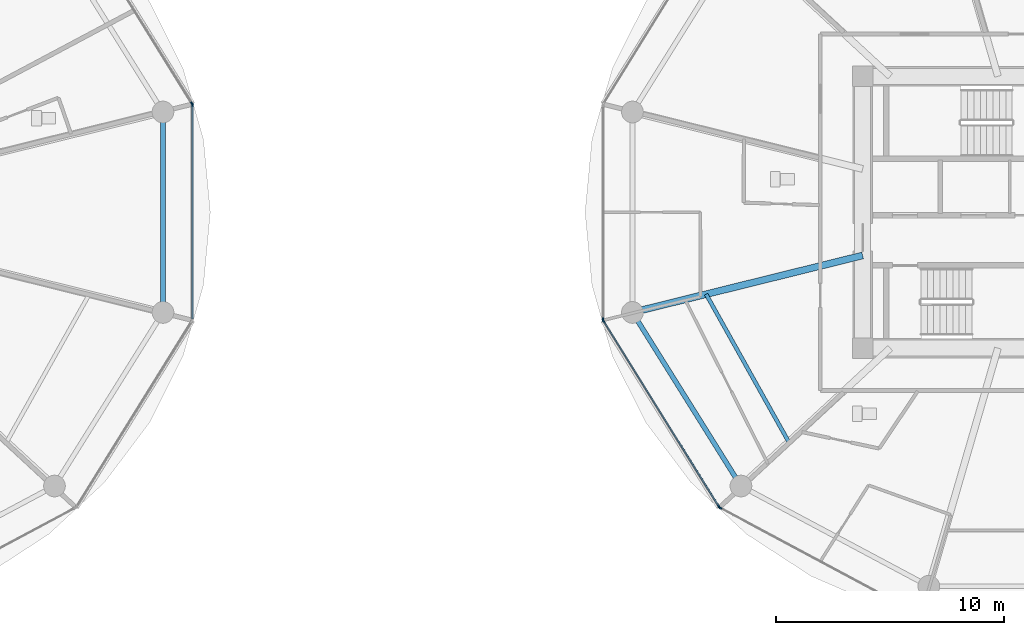
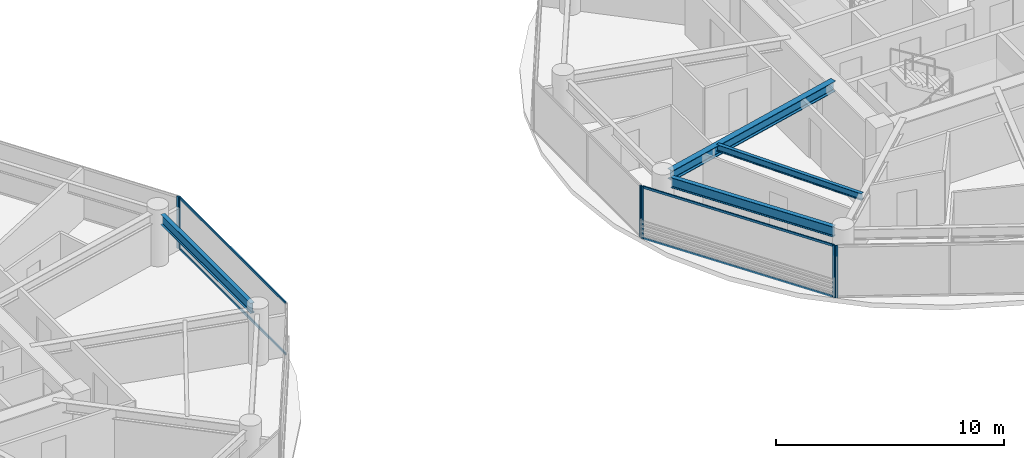
# One storey, part 6 of 27: 10 members, 4 beams, 5 elements without a shape of their own.
"""IFC4 building model written with IfcOpenShell, lengths in metres."""

from ifc_helpers import new_model, si_unit, direction, frame, origin, origin_2d, place, context, subcontext, project, spatial, rectangle, i_section, extrude, source, transform, mapped, material, layer, layer_set, material_profile, profile_set, type_object, type_shapes, element, aggregate, save


model = new_model("IFC4")

# Units and contexts
model_context = context("Model", 3, precision=1e-05, world=origin(), true_north=direction((0.0, 1.0)))
body_context = subcontext(model_context, "Body", "Model", "MODEL_VIEW")
ifc_project = project(units=[si_unit("LENGTHUNIT", "METRE"), si_unit("AREAUNIT", "SQUARE_METRE"), si_unit("VOLUMEUNIT", "CUBIC_METRE"), si_unit("PLANEANGLEUNIT", "RADIAN"), si_unit("MASSUNIT", "GRAM", prefix="KILO")], contexts=[model_context])

# Site, building, storey
site_placement = place(None, origin())
site = spatial("IfcSite", under=ifc_project, at=site_placement, CompositionType="ELEMENT")
building_placement = place(site_placement, origin())
building = spatial("IfcBuilding", under=site, at=building_placement, Name="Norrkilde Senior Care Towers", CompositionType="ELEMENT")
storey_placement = place(building_placement, frame((0.0, 0.0, 36.85009765625)))
storey = spatial("IfcBuildingStorey", under=building, at=storey_placement, Name="L10", CompositionType="ELEMENT", Elevation=36.85009765625)

# Beams
ifc_material_1 = material(Name="Steel S355", Category="steel")
ifc_material_profile_1 = material_profile(ifc_material_1, i_section(OverallWidth=0.2099609375, OverallDepth=0.550048828125, WebThickness=0.010986328125, FlangeThickness=0.01708984375, FilletRadius=0.02392578125, at=origin_2d()), Name="IPE 550")
ifc_profile_set_1 = profile_set([ifc_material_profile_1], Name="Steel S355")
beam_type_1 = type_object("IfcBeamType", Name="Perimeter Ring Spandrel Z1 IPE550", PredefinedType="SPANDREL", material=ifc_profile_set_1)
shared_shape_1 = source(origin(), body_context, "Body", "SweptSolid", [
    extrude(i_section(OverallWidth=0.2099609375, OverallDepth=0.550048828125, WebThickness=0.010986328125, FlangeThickness=0.01708984375, FilletRadius=0.02392578125, at=origin_2d()), origin(), (0.0, 0.0, 1.0), 8.090576171875),
])
beam_1_placement = place(storey_placement, frame((10.505859375, -4.755859375, 2.514892578125), z_axis=(0.530004364821, -0.84799491347, 0.0), x_axis=(0.84799491347, 0.530004364821, 0.0)))
element("IfcBeam", 1, at=beam_1_placement, inside=storey, type_object=beam_type_1, Name="L10 Drum E Perimeter Spandrel 07", PredefinedType="SPANDREL", context=body_context, shape_type="MappedRepresentation", body=[
    mapped(shared_shape_1, transform((0.0, 0.0, 0.0), x_axis=(1.0, 0.0, 0.0), y_axis=(0.0, 1.0, 0.0), z_axis=(0.0, 0.0, 1.0), scale=1.0)),
])
ifc_material_profile_2 = material_profile(ifc_material_1, i_section(OverallWidth=0.300048828125, OverallDepth=0.550048828125, WebThickness=0.014892578125, FlangeThickness=0.029052734375, FilletRadius=0.027099609375, at=origin_2d()), Name="HEB 550")
ifc_profile_set_2 = profile_set([ifc_material_profile_2], Name="Steel S355")
beam_type_2 = type_object("IfcBeamType", Name="Radial Floor Beam Z1 HEB550", PredefinedType="BEAM", material=ifc_profile_set_2)
shared_shape_2 = source(origin(), body_context, "Body", "SweptSolid", [
    extrude(i_section(OverallWidth=0.300048828125, OverallDepth=0.550048828125, WebThickness=0.014892578125, FlangeThickness=0.029052734375, FilletRadius=0.027099609375, at=origin_2d()), origin(), (0.0, 0.0, 1.0), 9.94384765625),
])
type_shapes(beam_type_2, [shared_shape_2])
beam_2_placement = place(storey_placement, frame((20.35009765625, -1.893310546875, 2.514892578125), z_axis=(-0.970707425182, -0.240264634718, 0.0), x_axis=(0.240264634718, -0.970707425182, 0.0)))
element("IfcBeam", 2, at=beam_2_placement, inside=storey, type_object=beam_type_2, Name="L10 Drum E Radial Floor Beam 07", PredefinedType="BEAM", context=body_context, shape_type="MappedRepresentation", body=[
    mapped(shared_shape_2, transform((0.0, 0.0, 0.0), x_axis=(1.0, 0.0, 0.0), y_axis=(0.0, 1.0, 0.0), z_axis=(0.0, 0.0, 1.0), scale=1.0)),
])
shared_shape_3 = source(origin(), body_context, "Body", "SweptSolid", [
    extrude(i_section(OverallWidth=0.2099609375, OverallDepth=0.550048828125, WebThickness=0.010986328125, FlangeThickness=0.01708984375, FilletRadius=0.02392578125, at=origin_2d()), origin(), (0.0, 0.0, 1.0), 7.90380859375),
])
type_shapes(beam_type_1, [shared_shape_1, shared_shape_3])
beam_3_placement = place(storey_placement, frame((-10.275146484375, -3.951904296875, 2.514892578125), z_axis=(0.0, 1.0, 0.0), x_axis=(-1.0, 0.0, 0.0)))
element("IfcBeam", 3, at=beam_3_placement, inside=storey, type_object=beam_type_1, Name="L10 Drum W Perimeter Spandrel 12", PredefinedType="SPANDREL", context=body_context, shape_type="MappedRepresentation", body=[
    mapped(shared_shape_3, transform((0.0, 0.0, 0.0), x_axis=(1.0, 0.0, 0.0), y_axis=(0.0, 1.0, 0.0), z_axis=(0.0, 0.0, 1.0), scale=1.0)),
])
ifc_material_profile_3 = material_profile(ifc_material_1, i_section(OverallWidth=0.169921875, OverallDepth=0.360107421875, WebThickness=0.008056640625, FlangeThickness=0.0126953125, FilletRadius=0.01806640625, at=origin_2d()), Name="IPE 360")
ifc_profile_set_3 = profile_set([ifc_material_profile_3], Name="Steel S355")
beam_type_3 = type_object("IfcBeamType", Name="Secondary Floor Joist IPE360", PredefinedType="JOIST", material=ifc_profile_set_3)
shared_shape_4 = source(origin(), body_context, "Body", "SweptSolid", [
    extrude(i_section(OverallWidth=0.169921875, OverallDepth=0.360107421875, WebThickness=0.008056640625, FlangeThickness=0.0126953125, FilletRadius=0.01806640625, at=origin_2d()), origin(), (0.0, 0.0, 1.0), 7.40771484375),
])
type_shapes(beam_type_3, [shared_shape_4])
beam_4_placement = place(storey_placement, frame((13.499267578125, -3.589111328125, 2.60986328125), z_axis=(0.488167754092, -0.872749817453, 0.0), x_axis=(0.872749817453, 0.488167754092, 0.0)))
element("IfcBeam", 4, at=beam_4_placement, inside=storey, type_object=beam_type_3, Name="L10 Drum E Secondary Floor Joist 3", PredefinedType="JOIST", context=body_context, shape_type="MappedRepresentation", body=[
    mapped(shared_shape_4, transform((0.0, 0.0, 0.0), x_axis=(1.0, 0.0, 0.0), y_axis=(0.0, 1.0, 0.0), z_axis=(0.0, 0.0, 1.0), scale=1.0)),
])

# Curtain wall, member
ifc_material_2 = material(Name="Triple Low-E Insulated Glazing", Category="glass")
ifc_layer = layer(ifc_material_2, 0.199951171875)
ifc_layer_set = layer_set([ifc_layer], Name="Triple Low-E Insulated Glazing")
curtain_wall_type = type_object("IfcCurtainWallType", Name="CW2 Zone 1 Memory Care Curtain Wall", PredefinedType="NOTDEFINED", material=ifc_layer_set)
curtain_wall_1_placement = place(storey_placement, origin())
curtain_wall_1 = element("IfcCurtainWall", 5, at=curtain_wall_1_placement, inside=storey, type_object=curtain_wall_type, Name="L10 Drum W Curtain Wall 00", PredefinedType="NOTDEFINED")
ifc_material_3 = material(Name="Anodised Aluminium", Category="aluminium")
ifc_material_profile_4 = material_profile(ifc_material_3, rectangle(XDim=0.06494140625, YDim=0.159912109375, at=origin_2d()), Name="ALU MULL 65x160")
ifc_profile_set_4 = profile_set([ifc_material_profile_4], Name="Anodised Aluminium")
member_type_1 = type_object("IfcMemberType", Name="Curtain Wall Mullion Z1-Z2 65x160", PredefinedType="MULLION", material=ifc_profile_set_4)
shared_shape_5 = source(origin(), body_context, "Body", "SweptSolid", [
    extrude(rectangle(XDim=0.06494140625, YDim=0.159912109375, at=origin_2d()), origin(), (0.0, 0.0, 1.0), 2.789794921875),
])
type_shapes(member_type_1, [shared_shape_5])
member_1_placement = place(storey_placement, frame((-9.0078125, 4.7587890625, 0.0), z_axis=(0.0, 0.0, 1.0), x_axis=(0.849305943117, 0.527900951871, 0.0)))
member_1 = element("IfcMember", 6, at=member_1_placement, type_object=member_type_1, Name="CW-2 mullion 2", PredefinedType="MULLION", context=body_context, shape_type="MappedRepresentation", body=[
    mapped(shared_shape_5, transform((0.0, 0.0, 0.0), x_axis=(1.0, 0.0, 0.0), y_axis=(0.0, 1.0, 0.0), z_axis=(0.0, 0.0, 1.0), scale=1.0)),
])
aggregate(curtain_wall_1, [member_1])

curtain_wall_2_placement = place(storey_placement, origin())
curtain_wall_2 = element("IfcCurtainWall", 7, at=curtain_wall_2_placement, inside=storey, type_object=curtain_wall_type, Name="L10 Drum W Curtain Wall 11", PredefinedType="NOTDEFINED")
member_2_placement = place(storey_placement, frame((-8.990478515625, 4.69873046875, 0.0), z_axis=(0.0, 0.0, 1.0), x_axis=(1.0, 0.0, 0.0)))
member_2 = element("IfcMember", 8, at=member_2_placement, type_object=member_type_1, Name="CW-2 mullion 1", PredefinedType="MULLION", context=body_context, shape_type="MappedRepresentation", body=[
    mapped(shared_shape_5, transform((0.0, 0.0, 0.0), x_axis=(1.0, 0.0, 0.0), y_axis=(0.0, 1.0, 0.0), z_axis=(0.0, 0.0, 1.0), scale=1.0)),
])

curtain_wall_3_placement = place(storey_placement, origin())
curtain_wall_3 = element("IfcCurtainWall", 9, at=curtain_wall_3_placement, inside=storey, type_object=curtain_wall_type, Name="L10 Drum E Curtain Wall 05", PredefinedType="NOTDEFINED")
member_3_placement = place(storey_placement, frame((8.990478515625, -4.69873046875, 0.0), z_axis=(0.0, 0.0, 1.0), x_axis=(-1.0, 0.0, 0.0)))
member_3 = element("IfcMember", 10, at=member_3_placement, type_object=member_type_1, Name="CW-2 mullion 1", PredefinedType="MULLION", context=body_context, shape_type="MappedRepresentation", body=[
    mapped(shared_shape_5, transform((0.0, 0.0, 0.0), x_axis=(1.0, 0.0, 0.0), y_axis=(0.0, 1.0, 0.0), z_axis=(0.0, 0.0, 1.0), scale=1.0)),
])
aggregate(curtain_wall_3, [member_3])

# Curtain wall, members
curtain_wall_4_placement = place(storey_placement, origin())
curtain_wall_4 = element("IfcCurtainWall", 11, at=curtain_wall_4_placement, inside=storey, type_object=curtain_wall_type, Name="L10 Drum E Curtain Wall 06", PredefinedType="NOTDEFINED")
member_4_placement = place(storey_placement, frame((14.06689453125, -12.898193359375, 0.0), z_axis=(0.0, 0.0, 1.0), x_axis=(-0.849305943117, -0.527900951871, 0.0)))
member_4 = element("IfcMember", 12, at=member_4_placement, type_object=member_type_1, Name="CW-2 mullion 1", PredefinedType="MULLION", context=body_context, shape_type="MappedRepresentation", body=[
    mapped(shared_shape_5, transform((0.0, 0.0, 0.0), x_axis=(1.0, 0.0, 0.0), y_axis=(0.0, 1.0, 0.0), z_axis=(0.0, 0.0, 1.0), scale=1.0)),
])
member_5_placement = place(storey_placement, frame((9.0078125, -4.7587890625, 0.0), z_axis=(0.0, 0.0, 1.0), x_axis=(-0.849305943117, -0.527900951871, 0.0)))
member_5 = element("IfcMember", 13, at=member_5_placement, type_object=member_type_1, Name="CW-2 mullion 2", PredefinedType="MULLION", context=body_context, shape_type="MappedRepresentation", body=[
    mapped(shared_shape_5, transform((0.0, 0.0, 0.0), x_axis=(1.0, 0.0, 0.0), y_axis=(0.0, 1.0, 0.0), z_axis=(0.0, 0.0, 1.0), scale=1.0)),
])

# Curtain wall, member
curtain_wall_5_placement = place(storey_placement, origin())
curtain_wall_5 = element("IfcCurtainWall", 14, at=curtain_wall_5_placement, inside=storey, type_object=curtain_wall_type, Name="L10 Drum E Curtain Wall 07", PredefinedType="NOTDEFINED")
member_6_placement = place(storey_placement, frame((14.11279296875, -12.941162109375, 0.0), z_axis=(0.0, 0.0, 1.0), x_axis=(-0.472607802456, -0.881272866403, 0.0)))
member_6 = element("IfcMember", 15, at=member_6_placement, type_object=member_type_1, Name="CW-2 mullion 2", PredefinedType="MULLION", context=body_context, shape_type="MappedRepresentation", body=[
    mapped(shared_shape_5, transform((0.0, 0.0, 0.0), x_axis=(1.0, 0.0, 0.0), y_axis=(0.0, 1.0, 0.0), z_axis=(0.0, 0.0, 1.0), scale=1.0)),
])
aggregate(curtain_wall_5, [member_6])

# Member
ifc_material_profile_5 = material_profile(ifc_material_3, rectangle(XDim=0.06005859375, YDim=0.1201171875, at=origin_2d()), Name="ALU TRAN 60x120")
ifc_profile_set_5 = profile_set([ifc_material_profile_5], Name="Anodised Aluminium")
member_type_2 = type_object("IfcMemberType", Name="Curtain Wall Transom Typical 60x120", PredefinedType="USERDEFINED", material=ifc_profile_set_5)
shared_shape_6 = source(origin(), body_context, "Body", "SweptSolid", [
    extrude(rectangle(XDim=0.06005859375, YDim=0.1201171875, at=origin_2d()), origin(), (0.0, 0.0, 1.0), 9.5185546875),
])
member_7_placement = place(storey_placement, frame((14.0498046875, -12.87060546875, 0.02978515625), z_axis=(-0.527901620669, 0.849305527413, 0.0), x_axis=(-0.849305527413, -0.527901620669, 0.0)))
member_7 = element("IfcMember", 16, at=member_7_placement, type_object=member_type_2, Name="CW-2 transom 1.1", ObjectType="TRANSOM", PredefinedType="USERDEFINED", context=body_context, shape_type="MappedRepresentation", body=[
    mapped(shared_shape_6, transform((0.0, 0.0, 0.0), x_axis=(1.0, 0.0, 0.0), y_axis=(0.0, 1.0, 0.0), z_axis=(0.0, 0.0, 1.0), scale=1.0)),
])

member_8_placement = place(storey_placement, frame((14.0498046875, -12.87060546875, 2.760009765625), z_axis=(-0.527901620669, 0.849305527413, 0.0), x_axis=(-0.849305527413, -0.527901620669, 0.0)))
member_8 = element("IfcMember", 17, at=member_8_placement, type_object=member_type_2, Name="CW-2 transom 1.2", ObjectType="TRANSOM", PredefinedType="USERDEFINED", context=body_context, shape_type="MappedRepresentation", body=[
    mapped(shared_shape_6, transform((0.0, 0.0, 0.0), x_axis=(1.0, 0.0, 0.0), y_axis=(0.0, 1.0, 0.0), z_axis=(0.0, 0.0, 1.0), scale=1.0)),
])

aggregate(curtain_wall_4, [member_4, member_5, member_7, member_8])

shared_shape_7 = source(origin(), body_context, "Body", "SweptSolid", [
    extrude(rectangle(XDim=0.06005859375, YDim=0.1201171875, at=origin_2d()), origin(), (0.0, 0.0, 1.0), 9.33251953125),
])
type_shapes(member_type_2, [shared_shape_6, shared_shape_7])
member_9_placement = place(storey_placement, frame((-8.990478515625, 4.666259765625, 0.02978515625), z_axis=(0.0, -1.0, 0.0), x_axis=(1.0, 0.0, 0.0)))
member_9 = element("IfcMember", 18, at=member_9_placement, type_object=member_type_2, Name="CW-2 transom 1.1", ObjectType="TRANSOM", PredefinedType="USERDEFINED", context=body_context, shape_type="MappedRepresentation", body=[
    mapped(shared_shape_7, transform((0.0, 0.0, 0.0), x_axis=(1.0, 0.0, 0.0), y_axis=(0.0, 1.0, 0.0), z_axis=(0.0, 0.0, 1.0), scale=1.0)),
])

member_10_placement = place(storey_placement, frame((-8.990478515625, 4.666259765625, 2.760009765625), z_axis=(0.0, -1.0, 0.0), x_axis=(1.0, 0.0, 0.0)))
member_10 = element("IfcMember", 19, at=member_10_placement, type_object=member_type_2, Name="CW-2 transom 1.2", ObjectType="TRANSOM", PredefinedType="USERDEFINED", context=body_context, shape_type="MappedRepresentation", body=[
    mapped(shared_shape_7, transform((0.0, 0.0, 0.0), x_axis=(1.0, 0.0, 0.0), y_axis=(0.0, 1.0, 0.0), z_axis=(0.0, 0.0, 1.0), scale=1.0)),
])

aggregate(curtain_wall_2, [member_2, member_9, member_10])

save(model, "model.ifc")
